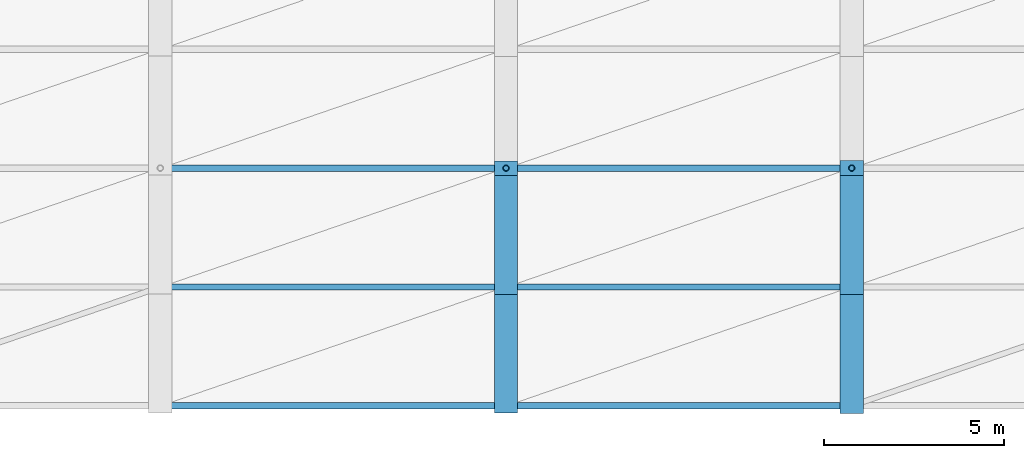
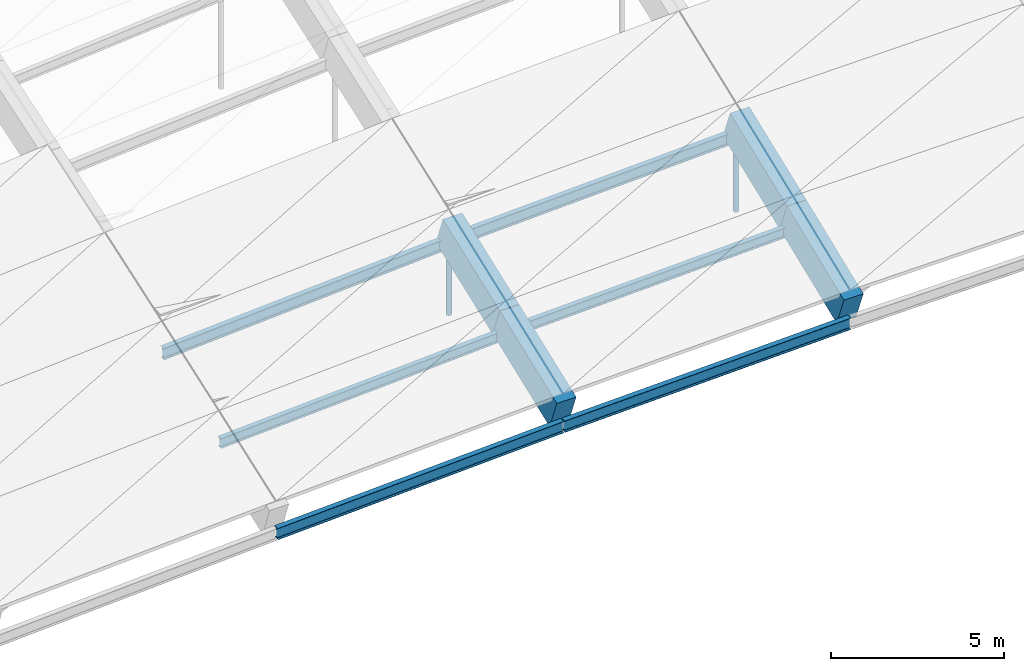
# One storey, part 3 of 43: 8 members, 4 beams.
"""IFC4 building model written with IfcOpenShell, lengths in metres."""

from ifc_helpers import new_model, si_unit, direction, frame, origin, origin_2d, place, context, subcontext, project, spatial, rectangle, hollow_circle, i_section, extrude, material, material_profile, profile_set, type_object, element, save


model = new_model("IFC4")

# Units and contexts
model_context = context("Model", 3, precision=1e-05, world=origin(), true_north=direction((0.0, 1.0)))
body_context = subcontext(model_context, "Body", "Model", "MODEL_VIEW")
ifc_project = project(units=[si_unit("LENGTHUNIT", "METRE"), si_unit("AREAUNIT", "SQUARE_METRE"), si_unit("VOLUMEUNIT", "CUBIC_METRE"), si_unit("PLANEANGLEUNIT", "RADIAN"), si_unit("MASSUNIT", "GRAM", prefix="KILO")], contexts=[model_context])

# Site, building, storey
site_placement = place(None, origin())
site = spatial("IfcSite", under=ifc_project, at=site_placement, CompositionType="ELEMENT")
building_placement = place(site_placement, origin())
building = spatial("IfcBuilding", under=site, at=building_placement, Name="Chalmorin Arch Market", CompositionType="ELEMENT")
storey_placement = place(building_placement, frame((0.0, 0.0, 18.60009765625)))
storey = spatial("IfcBuildingStorey", under=building, at=storey_placement, Name="RF", CompositionType="ELEMENT", Elevation=18.60009765625)

# Members
ifc_material_1 = material(Name="Steel A500 Grade C", Category="steel")
ifc_material_profile_1 = material_profile(ifc_material_1, hollow_circle(Radius=0.084228515625, WallThickness=0.007080078125, at=origin_2d()), Name="CHS168X7")
ifc_profile_set_1 = profile_set([ifc_material_profile_1], Name="Steel A500 Grade C")
member_type_1 = type_object("IfcMemberType", Name="ArchHangerTie-CHS168", PredefinedType="CHORD", material=ifc_profile_set_1)
member_1_placement = place(storey_placement, frame((67.199951171875, 12.60009765625, -2.845458984375), z_axis=(0.0, 0.0, 1.0), x_axis=(1.0, 0.0, 0.0)))
element("IfcMember", 1, at=member_1_placement, inside=storey, type_object=member_type_1, Name="HT-CH168-0142", PredefinedType="CHORD", context=body_context, shape_type="SweptSolid", body=[
    extrude(hollow_circle(Radius=0.084228515625, WallThickness=0.007080078125, at=origin_2d()), origin(), (0.0, 0.0, 1.0), 3.059326171875),
])
member_2_placement = place(storey_placement, frame((76.800048828125, 12.60009765625, -2.552978515625), z_axis=(0.0, 0.0, 1.0), x_axis=(1.0, 0.0, 0.0)))
element("IfcMember", 2, at=member_2_placement, inside=storey, type_object=member_type_1, Name="HT-CH168-0149", PredefinedType="CHORD", context=body_context, shape_type="SweptSolid", body=[
    extrude(hollow_circle(Radius=0.084228515625, WallThickness=0.007080078125, at=origin_2d()), origin(), (0.0, 0.0, 1.0), 3.161376953125),
])

# Beams
ifc_material_2 = material(Name="Concrete C50/60", Category="concrete")
ifc_material_profile_2 = material_profile(ifc_material_2, rectangle(XDim=0.64990234375, YDim=1.14990234375, at=origin_2d()), Name="RC650X1150")
ifc_profile_set_2 = profile_set([ifc_material_profile_2], Name="Concrete C50/60")
beam_type = type_object("IfcBeamType", Name="ArchRibChord-650x1150", PredefinedType="BEAM", material=ifc_profile_set_2)
beam_1_placement = place(storey_placement, frame((67.199951171875, 6.0, -2.29541015625), z_axis=(0.0, 0.933342046905, 0.358988333347), x_axis=(-1.0, 0.0, 0.0)))
element("IfcBeam", 3, at=beam_1_placement, inside=storey, type_object=beam_type, Name="AR-01-1623", PredefinedType="BEAM", context=body_context, shape_type="SweptSolid", body=[
    extrude(rectangle(XDim=0.64990234375, YDim=1.14990234375, at=origin_2d()), origin(), (0.0, 0.0, 1.0), 3.53564453125),
])
beam_2_placement = place(storey_placement, frame((67.199951171875, 9.300048828125, -1.026123046875), z_axis=(0.0, 0.936098447266, 0.351738108579), x_axis=(-1.0, 0.0, 0.0)))
element("IfcBeam", 4, at=beam_2_placement, inside=storey, type_object=beam_type, Name="AR-01-1624", PredefinedType="BEAM", context=body_context, shape_type="SweptSolid", body=[
    extrude(rectangle(XDim=0.64990234375, YDim=1.14990234375, at=origin_2d()), origin(), (0.0, 0.0, 1.0), 3.525390625),
])
beam_3_placement = place(storey_placement, frame((76.800048828125, 6.0, -2.0029296875), z_axis=(0.0, 0.928377186823, 0.371639339935), x_axis=(-1.0, 0.0, 0.0)))
element("IfcBeam", 5, at=beam_3_placement, inside=storey, type_object=beam_type, Name="AR-01-1642", PredefinedType="BEAM", context=body_context, shape_type="SweptSolid", body=[
    extrude(rectangle(XDim=0.64990234375, YDim=1.14990234375, at=origin_2d()), origin(), (0.0, 0.0, 1.0), 3.5546875),
])
beam_4_placement = place(storey_placement, frame((76.800048828125, 9.300048828125, -0.681884765625), z_axis=(0.0, 0.93134236978, 0.364144738055), x_axis=(-1.0, 0.0, 0.0)))
element("IfcBeam", 6, at=beam_4_placement, inside=storey, type_object=beam_type, Name="AR-01-1643", PredefinedType="BEAM", context=body_context, shape_type="SweptSolid", body=[
    extrude(rectangle(XDim=0.64990234375, YDim=1.14990234375, at=origin_2d()), origin(), (0.0, 0.0, 1.0), 3.543212890625),
])

# Members
ifc_material_3 = material(Name="Steel A992 Grade 50", Category="steel")
ifc_material_profile_3 = material_profile(ifc_material_3, i_section(OverallWidth=0.1708984375, OverallDepth=0.35107421875, WebThickness=0.0068359375, FlangeThickness=0.009765625, FilletRadius=0.014892578125, at=origin_2d()), Name="W14X30")
ifc_profile_set_3 = profile_set([ifc_material_profile_3], Name="Steel A992 Grade 50")
member_type_2 = type_object("IfcMemberType", Name="RoofSteelPurlin-W14X30", PredefinedType="PURLIN", material=ifc_profile_set_3)
member_3_placement = place(storey_placement, frame((57.6201171875, 9.300048828125, -2.021240234375), z_axis=(0.998551322998, 0.0, 0.053807576973), x_axis=(0.0, 1.0, 0.0)))
element("IfcMember", 7, at=member_3_placement, inside=storey, type_object=member_type_2, Name="PR-W14-0206", PredefinedType="PURLIN", context=body_context, shape_type="SweptSolid", body=[
    extrude(i_section(OverallWidth=0.1708984375, OverallDepth=0.35107421875, WebThickness=0.0068359375, FlangeThickness=0.009765625, FilletRadius=0.014892578125, at=origin_2d()), origin(), (0.0, 0.0, 1.0), 9.57373046875),
])
member_4_placement = place(storey_placement, frame((67.219970703125, 9.300048828125, -1.506103515625), z_axis=(0.99935326031, 0.0, 0.035959158889), x_axis=(0.0, 1.0, 0.0)))
element("IfcMember", 8, at=member_4_placement, inside=storey, type_object=member_type_2, Name="PR-W14-0223", PredefinedType="PURLIN", context=body_context, shape_type="SweptSolid", body=[
    extrude(i_section(OverallWidth=0.1708984375, OverallDepth=0.35107421875, WebThickness=0.0068359375, FlangeThickness=0.009765625, FilletRadius=0.014892578125, at=origin_2d()), origin(), (0.0, 0.0, 1.0), 9.566162109375),
])
ifc_material_profile_4 = material_profile(ifc_material_3, i_section(OverallWidth=0.178955078125, OverallDepth=0.409912109375, WebThickness=0.0087890625, FlangeThickness=0.014404296875, FilletRadius=0.01806640625, at=origin_2d()), Name="W16X45")
ifc_profile_set_4 = profile_set([ifc_material_profile_4], Name="Steel A992 Grade 50")
member_type_3 = type_object("IfcMemberType", Name="RoofSteelPurlin-W16X45", PredefinedType="PURLIN", material=ifc_profile_set_4)
member_5_placement = place(storey_placement, frame((57.6201171875, 6.0, -3.21337890625), z_axis=(0.998952116488, 0.0, 0.045767553617), x_axis=(0.0, 1.0, 0.0)))
element("IfcMember", 9, at=member_5_placement, inside=storey, type_object=member_type_3, Name="PR-W16-0205", PredefinedType="PURLIN", context=body_context, shape_type="SweptSolid", body=[
    extrude(i_section(OverallWidth=0.178955078125, OverallDepth=0.409912109375, WebThickness=0.0087890625, FlangeThickness=0.014404296875, FilletRadius=0.01806640625, at=origin_2d()), origin(), (0.0, 0.0, 1.0), 9.56982421875),
])
member_6_placement = place(storey_placement, frame((57.6201171875, 12.60009765625, -0.856689453125), z_axis=(0.998097248777, 0.0, 0.061659403039), x_axis=(0.0, 1.0, 0.0)))
element("IfcMember", 10, at=member_6_placement, inside=storey, type_object=member_type_3, Name="PR-W16-0207", PredefinedType="PURLIN", context=body_context, shape_type="SweptSolid", body=[
    extrude(i_section(OverallWidth=0.178955078125, OverallDepth=0.409912109375, WebThickness=0.0087890625, FlangeThickness=0.014404296875, FilletRadius=0.01806640625, at=origin_2d()), origin(), (0.0, 0.0, 1.0), 9.578125),
])
member_7_placement = place(storey_placement, frame((67.219970703125, 6.0, -2.775390625), z_axis=(0.999532331741, 0.0, 0.030579695935), x_axis=(0.0, 1.0, 0.0)))
element("IfcMember", 11, at=member_7_placement, inside=storey, type_object=member_type_3, Name="PR-W16-0222", PredefinedType="PURLIN", context=body_context, shape_type="SweptSolid", body=[
    extrude(i_section(OverallWidth=0.178955078125, OverallDepth=0.409912109375, WebThickness=0.0087890625, FlangeThickness=0.014404296875, FilletRadius=0.01806640625, at=origin_2d()), origin(), (0.0, 0.0, 1.0), 9.564453125),
])
member_8_placement = place(storey_placement, frame((67.219970703125, 12.60009765625, -0.26611328125), z_axis=(0.999149533114, 0.0, 0.041233608599), x_axis=(0.0, 1.0, 0.0)))
element("IfcMember", 12, at=member_8_placement, inside=storey, type_object=member_type_3, Name="PR-W16-0224", PredefinedType="PURLIN", context=body_context, shape_type="SweptSolid", body=[
    extrude(i_section(OverallWidth=0.178955078125, OverallDepth=0.409912109375, WebThickness=0.0087890625, FlangeThickness=0.014404296875, FilletRadius=0.01806640625, at=origin_2d()), origin(), (0.0, 0.0, 1.0), 9.568115234375),
])

save(model, "model.ifc")
